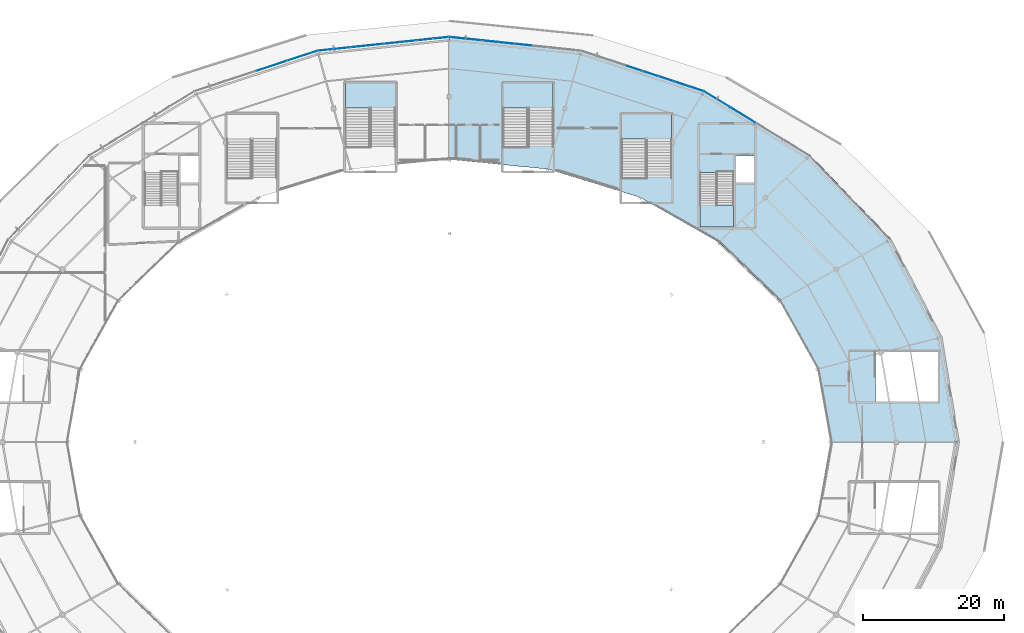
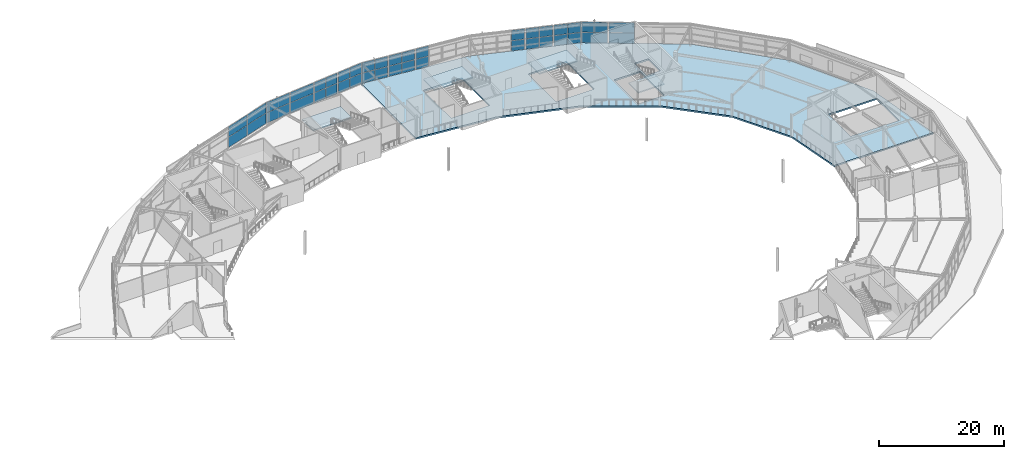
# One storey, part 98 of 126: 40 plates, 5 slabs, 18 elements without a shape of their own.
"""IFC4 building model written with IfcOpenShell, lengths in metres."""

import ifcopenshell
import ifcopenshell.guid

model = None  # the IFC model being written
_history = None  # IfcOwnerHistory: only IFC2X3 demands one
_inside = {}  # id of a spatial element -> (the spatial element, [elements in it])
_under = {}  # id of a project, library or spatial element -> (it, [spatial elements below it])
_declared = {}  # id of a project -> (the project, [libraries it declares])
_typed = {}  # id of a type object -> (the type object, [elements of that type])
_made_of = {}  # id of a material, layer set ... -> (it, [elements and type objects made of it])


def new_model(schema):
    """Start an empty IFC model of exactly this schema.

    Asked for "IFC4X3", IfcOpenShell would pick the latest addendum, in which some entities
    have other attributes; the version numbers below select the first issue.
    IFC2X3 requires an IfcOwnerHistory on every rooted entity: one is made here for all.
    """
    global model, _history
    if schema == "IFC4X3":
        model = ifcopenshell.file(schema_version=(4, 3, 0, 0))
    else:
        model = ifcopenshell.file(schema=schema)
    _inside.clear()
    _under.clear()
    _declared.clear()
    _typed.clear()
    _made_of.clear()
    _history = None
    if model.schema == "IFC2X3":
        org = make("IfcOrganization", Name="unknown")
        user = make(
            "IfcPersonAndOrganization",
            ThePerson=make("IfcPerson", FamilyName="unknown"),
            TheOrganization=org,
        )
        app = make(
            "IfcApplication",
            ApplicationDeveloper=org,
            Version="unknown",
            ApplicationFullName="unknown",
            ApplicationIdentifier="unknown",
        )
        _history = make(
            "IfcOwnerHistory",
            OwningUser=user,
            OwningApplication=app,
            ChangeAction="ADDED",
            CreationDate=0,
        )
    return model


def make(cls, **values):
    """One entity of the class cls with the attributes given. An attribute that is None is left unset."""
    return model.create_entity(
        cls, **{name: value for name, value in values.items() if value is not None}
    )


def rooted(cls, **values):
    """An entity with a GlobalId (a new one), such as an element, a storey or a relation."""
    return make(cls, GlobalId=ifcopenshell.guid.new(), OwnerHistory=_history, **values)


def si_unit(unit_type, name, prefix=None):
    """IfcSIUnit, for example si_unit("LENGTHUNIT", "METRE", prefix="MILLI")."""
    return make("IfcSIUnit", UnitType=unit_type, Prefix=prefix, Name=name)


def assignment(units):
    """IfcUnitAssignment: the units of a project."""
    return None if units is None else make("IfcUnitAssignment", Units=units)


def point(xyz):
    """IfcCartesianPoint."""
    return None if xyz is None else make("IfcCartesianPoint", Coordinates=xyz)


def direction(xyz):
    """IfcDirection."""
    return None if xyz is None else make("IfcDirection", DirectionRatios=xyz)


def frame(location, z_axis=None, x_axis=None):
    """IfcAxis2Placement3D, a coordinate frame: its origin and axes. An axis left out is left unset."""
    return make(
        "IfcAxis2Placement3D",
        Location=point(location),
        Axis=direction(z_axis),
        RefDirection=direction(x_axis),
    )


def frame_2d(location, x_axis=None):
    """IfcAxis2Placement2D, a coordinate frame in the plane: its origin and x axis."""
    return make(
        "IfcAxis2Placement2D", Location=point(location), RefDirection=direction(x_axis)
    )


def origin():
    """The frame at (0, 0, 0) with its axes left unset."""
    return frame((0.0, 0.0, 0.0))


def origin_2d():
    """The frame at (0, 0) in the plane with its x axis left unset."""
    return frame_2d((0.0, 0.0))


def place(relative_to, where):
    """IfcLocalPlacement: puts the frame where relative to a parent placement (None: the world)."""
    return make(
        "IfcLocalPlacement", PlacementRelTo=relative_to, RelativePlacement=where
    )


def context(
    kind, dimensions, precision=None, world=None, true_north=None, identifier=None
):
    """IfcGeometricRepresentationContext, for example the 3D "Model" context."""
    return make(
        "IfcGeometricRepresentationContext",
        ContextIdentifier=identifier,
        ContextType=kind,
        CoordinateSpaceDimension=dimensions,
        Precision=precision,
        WorldCoordinateSystem=world,
        TrueNorth=true_north,
    )


def subcontext(parent, identifier, kind, view, scale=None):
    """IfcGeometricRepresentationSubContext, for example "Body" below "Model"."""
    return make(
        "IfcGeometricRepresentationSubContext",
        ContextIdentifier=identifier,
        ContextType=kind,
        ParentContext=parent,
        TargetScale=scale,
        TargetView=view,
    )


def project(units=None, contexts=None):
    """IfcProject with its units and contexts."""
    return rooted(
        "IfcProject",
        Name="project",
        RepresentationContexts=contexts,
        UnitsInContext=assignment(units),
    )


def spatial(cls, under=None, at=None, **own):
    """A site, building, storey or space (cls), placed at a placement, below another one or the project."""
    s = rooted(cls, ObjectPlacement=at, **own)
    if under is not None:
        _under.setdefault(under.id(), (under, []))[1].append(s)
    return s


def polyline(points):
    """IfcPolyline through the points."""
    return make("IfcPolyline", Points=[point(p) for p in points])


def profile(cls, at=None, kind="AREA", **sizes):
    """A parametric profile (cls). Its sizes go by their IFC names, for example OverallWidth=200.0."""
    return make(cls, ProfileType=kind, Position=at, **sizes)


def rectangle(**sizes):
    """IfcRectangleProfileDef."""
    return profile("IfcRectangleProfileDef", **sizes)


def outline(outer, holes=None, kind="AREA"):
    """IfcArbitraryClosedProfileDef: a profile drawn as a closed curve; with holes, ...WithVoids."""
    if holes is None:
        return make("IfcArbitraryClosedProfileDef", ProfileType=kind, OuterCurve=outer)
    return make(
        "IfcArbitraryProfileDefWithVoids",
        ProfileType=kind,
        OuterCurve=outer,
        InnerCurves=holes,
    )


def extrude(swept, where, along, depth):
    """IfcExtrudedAreaSolid: the profile swept, set in the frame where, extruded along a direction by depth."""
    return make(
        "IfcExtrudedAreaSolid",
        SweptArea=swept,
        Position=where,
        ExtrudedDirection=direction(along),
        Depth=depth,
    )


def shape(context_of_items, identifier, shape_type, items):
    """IfcShapeRepresentation: the items that make up one representation, for example the "Body"."""
    return make(
        "IfcShapeRepresentation",
        ContextOfItems=context_of_items,
        RepresentationIdentifier=identifier,
        RepresentationType=shape_type,
        Items=items,
    )


def material(Name=None, Category=None):
    """IfcMaterial."""
    return make("IfcMaterial", Name=Name, Category=Category)


def layer(
    of_material, thickness, ventilated=None, Name=None, Category=None, Priority=None
):
    """IfcMaterialLayer: one layer of a wall or slab, of a material (None: an air gap)."""
    return make(
        "IfcMaterialLayer",
        Material=of_material,
        LayerThickness=thickness,
        IsVentilated=ventilated,
        Name=Name,
        Category=Category,
        Priority=Priority,
    )


def layer_set(layers, Name=None):
    """IfcMaterialLayerSet."""
    return make("IfcMaterialLayerSet", MaterialLayers=layers, LayerSetName=Name)


def made_of(thing, what):
    """Note that an element or type object is made of a material, layer set ...; save() writes the relation."""
    if what is not None:
        _made_of.setdefault(what.id(), (what, []))[1].append(thing)
    return thing


def type_object(cls, material=None, **own):
    """A type object (cls), such as IfcWallType, which elements share."""
    return made_of(rooted(cls, **own), material)


def element(
    cls,
    number,
    at=None,
    inside=None,
    cuts=None,
    type_object=None,
    material=None,
    context=None,
    identifier="Body",
    shape_type=None,
    held_by="IfcProductDefinitionShape",
    body=None,
    shapes=None,
    **own,
):
    """One element of the class cls, such as IfcWall. Its Tag is "e" and its number.

    at: its placement. inside: the storey or other place that contains it. cuts: it is an
    opening in that element (IfcRelVoidsElement). A single representation is given by context,
    identifier, shape_type and body (its items); several are given by shapes. held_by: the class
    of the entity that holds the representations. save() writes the other relations.
    """
    e = rooted(cls, Tag="e%d" % number, ObjectPlacement=at, **own)
    if body is not None:
        shapes = [shape(context, identifier, shape_type, body)]
    if shapes is not None:
        e.Representation = make(held_by, Representations=shapes)
    if inside is not None:
        _inside.setdefault(inside.id(), (inside, []))[1].append(e)
    if cuts is not None:
        rooted(
            "IfcRelVoidsElement", RelatingBuildingElement=cuts, RelatedOpeningElement=e
        )
    if type_object is not None:
        _typed.setdefault(type_object.id(), (type_object, []))[1].append(e)
    return made_of(e, material)


def aggregate(whole, parts):
    """IfcRelAggregates: a whole, such as a stair, and the parts it consists of."""
    return rooted("IfcRelAggregates", RelatingObject=whole, RelatedObjects=parts)


def save(model, path):
    """Write the relations noted so far, then the file.

    IfcRelAggregates (storeys below a building ...), IfcRelContainedInSpatialStructure (elements
    in a storey), IfcRelDefinesByType, IfcRelAssociatesMaterial and IfcRelDeclares: one each for
    every whole, place, type object, material and project.
    """
    for whole, parts in _under.values():
        aggregate(whole, parts)
    for where, things in _inside.values():
        rooted(
            "IfcRelContainedInSpatialStructure",
            RelatedElements=things,
            RelatingStructure=where,
        )
    for kind, things in _typed.values():
        rooted("IfcRelDefinesByType", RelatedObjects=things, RelatingType=kind)
    for what, things in _made_of.values():
        rooted("IfcRelAssociatesMaterial", RelatedObjects=things, RelatingMaterial=what)
    for by, libraries in _declared.values():
        rooted("IfcRelDeclares", RelatingContext=by, RelatedDefinitions=libraries)
    model.write(path)


model = new_model("IFC4")

# Units and contexts
model_context = context("Model", 3, precision=1e-05, world=origin(), true_north=direction((0.0, 1.0)))
body_context = subcontext(model_context, "Body", "Model", "MODEL_VIEW")
ifc_project = project(units=[si_unit("LENGTHUNIT", "METRE"), si_unit("AREAUNIT", "SQUARE_METRE"), si_unit("VOLUMEUNIT", "CUBIC_METRE"), si_unit("PLANEANGLEUNIT", "RADIAN"), si_unit("MASSUNIT", "GRAM", prefix="KILO")], contexts=[model_context])

# Site, building, storey
site_placement = place(None, origin())
site = spatial("IfcSite", under=ifc_project, at=site_placement, CompositionType="ELEMENT")
building_placement = place(site_placement, origin())
building = spatial("IfcBuilding", under=site, at=building_placement, Name="Kalgoora Escarpment Arena", CompositionType="ELEMENT")
storey_placement = place(building_placement, frame((0.0, 0.0, 18.89990234375)))
storey = spatial("IfcBuildingStorey", under=building, at=storey_placement, Name="L04", CompositionType="ELEMENT", Elevation=18.89990234375)

# Curtain wall, plates
ifc_material_1 = material(Name=" Champagne anodised aluminium & double-glazed low-E", Category="aluminium")
ifc_layer_1 = layer(ifc_material_1, 0.157958984375)
ifc_layer_set_1 = layer_set([ifc_layer_1], Name="CW-UNIT-17")
curtain_wall_type_1 = type_object("IfcCurtainWallType", Name="CW-UNIT-17", PredefinedType="NOTDEFINED", material=ifc_layer_set_1)
curtain_wall_1_placement = place(storey_placement, origin())
curtain_wall_1 = element("IfcCurtainWall", 1, at=curtain_wall_1_placement, inside=storey, type_object=curtain_wall_type_1, Name="L04 unitised facade curtain wall 156", PredefinedType="NOTDEFINED")
ifc_material_2 = material(Name="Low-E double-glazed insulated glass", Category="glass")
ifc_layer_2 = layer(ifc_material_2, 0.028076171875)
ifc_layer_set_2 = layer_set([ifc_layer_2], Name="PLT-CW-GLAZ-28")
plate_type_1 = type_object("IfcPlateType", Name="PLT-CW-GLAZ-28", PredefinedType="CURTAIN_PANEL", material=ifc_layer_set_2)
plate_1_placement = place(storey_placement, frame((67.15087890625, 117.365478515625, 0.0751953125), z_axis=(0.0, 0.0, 1.0), x_axis=(0.949763052265, 0.312969878028, 0.0)))
plate_1 = element("IfcPlate", 2, at=plate_1_placement, type_object=plate_type_1, Name="CW-17 panel 1.1", PredefinedType="CURTAIN_PANEL", context=body_context, shape_type="SweptSolid", body=[
    extrude(rectangle(XDim=4.376220703125, YDim=0.028076171875, at=origin_2d()), origin(), (0.0, 0.0, 1.0), 2.007568359375),
])
plate_2_placement = place(storey_placement, frame((67.15087890625, 117.365478515625, 2.1376953125), z_axis=(0.0, 0.0, 1.0), x_axis=(0.949763052265, 0.312969878028, 0.0)))
plate_2 = element("IfcPlate", 3, at=plate_2_placement, type_object=plate_type_1, Name="CW-17 panel 1.2", PredefinedType="CURTAIN_PANEL", context=body_context, shape_type="SweptSolid", body=[
    extrude(rectangle(XDim=4.376220703125, YDim=0.028076171875, at=origin_2d()), origin(), (0.0, 0.0, 1.0), 1.987548828125),
])
aggregate(curtain_wall_1, [plate_1, plate_2])

ifc_material_3 = material(Name=" Champagne anodised aluminium & double-glazed low-E", Category="aluminium")
ifc_layer_3 = layer(ifc_material_3, 0.166015625)
ifc_layer_set_3 = layer_set([ifc_layer_3], Name="CW-UNIT-19")
curtain_wall_type_2 = type_object("IfcCurtainWallType", Name="CW-UNIT-19", PredefinedType="NOTDEFINED", material=ifc_layer_set_3)
curtain_wall_2_placement = place(storey_placement, origin())
curtain_wall_2 = element("IfcCurtainWall", 4, at=curtain_wall_2_placement, inside=storey, type_object=curtain_wall_type_2, Name="L04 unitised facade curtain wall 158", PredefinedType="NOTDEFINED")
plate_3_placement = place(storey_placement, frame((75.991455078125, 119.7607421875, 0.0751953125), z_axis=(0.0, 0.0, 1.0), x_axis=(0.994560810247, 0.10415754759, 0.0)))
plate_3 = element("IfcPlate", 5, at=plate_3_placement, type_object=plate_type_1, Name="CW-19 panel 1.1", PredefinedType="CURTAIN_PANEL", context=body_context, shape_type="SweptSolid", body=[
    extrude(rectangle(XDim=4.540283203125, YDim=0.028076171875, at=origin_2d()), origin(), (0.0, 0.0, 1.0), 2.007568359375),
])
plate_4_placement = place(storey_placement, frame((75.991455078125, 119.7607421875, 2.1376953125), z_axis=(0.0, 0.0, 1.0), x_axis=(0.994560810247, 0.10415754759, 0.0)))
plate_4 = element("IfcPlate", 6, at=plate_4_placement, type_object=plate_type_1, Name="CW-19 panel 1.2", PredefinedType="CURTAIN_PANEL", context=body_context, shape_type="SweptSolid", body=[
    extrude(rectangle(XDim=4.540283203125, YDim=0.028076171875, at=origin_2d()), origin(), (0.0, 0.0, 1.0), 1.987548828125),
])
aggregate(curtain_wall_2, [plate_3, plate_4])

ifc_material_4 = material(Name=" Champagne anodised aluminium & double-glazed low-E", Category="aluminium")
ifc_layer_4 = layer(ifc_material_4, 0.154052734375)
ifc_layer_set_4 = layer_set([ifc_layer_4], Name="CW-UNIT-01")
curtain_wall_type_3 = type_object("IfcCurtainWallType", Name="CW-UNIT-01", PredefinedType="NOTDEFINED", material=ifc_layer_set_4)
curtain_wall_3_placement = place(storey_placement, origin())
curtain_wall_3 = element("IfcCurtainWall", 7, at=curtain_wall_3_placement, inside=storey, type_object=curtain_wall_type_3, Name="L04 unitised facade curtain wall 160", PredefinedType="NOTDEFINED")
plate_5_placement = place(storey_placement, frame((84.25537109375, 120.626220703125, 0.080078125), z_axis=(0.0, 0.0, 1.0), x_axis=(0.994558216596, 0.104182310405, 0.0)))
plate_5 = element("IfcPlate", 8, at=plate_5_placement, type_object=plate_type_1, Name="CW-01 panel 1.1", PredefinedType="CURTAIN_PANEL", context=body_context, shape_type="SweptSolid", body=[
    extrude(rectangle(XDim=2.20751953125, YDim=0.028076171875, at=origin_2d()), origin(), (0.0, 0.0, 1.0), 2.0),
])
plate_6_placement = place(storey_placement, frame((84.25537109375, 120.626220703125, 2.14013671875), z_axis=(0.0, 0.0, 1.0), x_axis=(0.994558216596, 0.104182310405, 0.0)))
plate_6 = element("IfcPlate", 9, at=plate_6_placement, type_object=plate_type_1, Name="CW-01 panel 1.2", PredefinedType="CURTAIN_PANEL", context=body_context, shape_type="SweptSolid", body=[
    extrude(rectangle(XDim=2.20751953125, YDim=0.028076171875, at=origin_2d()), origin(), (0.0, 0.0, 1.0), 1.97998046875),
])
plate_7_placement = place(storey_placement, frame((86.515625, 120.863037109375, 0.080078125), z_axis=(0.0, 0.0, 1.0), x_axis=(0.994558216596, 0.104182310405, 0.0)))
plate_7 = element("IfcPlate", 10, at=plate_7_placement, type_object=plate_type_1, Name="CW-01 panel 2.1", PredefinedType="CURTAIN_PANEL", context=body_context, shape_type="SweptSolid", body=[
    extrude(rectangle(XDim=2.20751953125, YDim=0.028076171875, at=origin_2d()), origin(), (0.0, 0.0, 1.0), 2.0),
])
plate_8_placement = place(storey_placement, frame((86.515625, 120.863037109375, 2.14013671875), z_axis=(0.0, 0.0, 1.0), x_axis=(0.994558216596, 0.104182310405, 0.0)))
plate_8 = element("IfcPlate", 11, at=plate_8_placement, type_object=plate_type_1, Name="CW-01 panel 2.2", PredefinedType="CURTAIN_PANEL", context=body_context, shape_type="SweptSolid", body=[
    extrude(rectangle(XDim=2.20751953125, YDim=0.028076171875, at=origin_2d()), origin(), (0.0, 0.0, 1.0), 1.97998046875),
])
aggregate(curtain_wall_3, [plate_5, plate_6, plate_7, plate_8])

ifc_material_5 = material(Name=" Champagne anodised aluminium & double-glazed low-E", Category="aluminium")
ifc_layer_5 = layer(ifc_material_5, 0.162109375)
ifc_layer_set_5 = layer_set([ifc_layer_5], Name="CW-UNIT-03")
curtain_wall_type_4 = type_object("IfcCurtainWallType", Name="CW-UNIT-03", PredefinedType="NOTDEFINED", material=ifc_layer_set_5)
curtain_wall_4_placement = place(storey_placement, origin())
curtain_wall_4 = element("IfcCurtainWall", 12, at=curtain_wall_4_placement, inside=storey, type_object=curtain_wall_type_4, Name="L04 unitised facade curtain wall 162", PredefinedType="NOTDEFINED")
plate_9_placement = place(storey_placement, frame((93.5625, 121.357666015625, 0.080078125), z_axis=(0.0, 0.0, 1.0), x_axis=(0.994558587162, -0.104178772797, 0.0)))
plate_9 = element("IfcPlate", 13, at=plate_9_placement, type_object=plate_type_1, Name="CW-03 panel 1.1", PredefinedType="CURTAIN_PANEL", context=body_context, shape_type="SweptSolid", body=[
    extrude(rectangle(XDim=2.232666015625, YDim=0.028076171875, at=origin_2d()), origin(), (0.0, 0.0, 1.0), 1.9951171875),
])
plate_10_placement = place(storey_placement, frame((93.5625, 121.357666015625, 2.135009765625), z_axis=(0.0, 0.0, 1.0), x_axis=(0.994558587162, -0.104178772797, 0.0)))
plate_10 = element("IfcPlate", 14, at=plate_10_placement, type_object=plate_type_1, Name="CW-03 panel 1.2", PredefinedType="CURTAIN_PANEL", context=body_context, shape_type="SweptSolid", body=[
    extrude(rectangle(XDim=2.232666015625, YDim=0.028076171875, at=origin_2d()), origin(), (0.0, 0.0, 1.0), 1.97509765625),
])
plate_11_placement = place(storey_placement, frame((95.847412109375, 121.1181640625, 0.080078125), z_axis=(0.0, 0.0, 1.0), x_axis=(0.994558587162, -0.104178772797, 0.0)))
plate_11 = element("IfcPlate", 15, at=plate_11_placement, type_object=plate_type_1, Name="CW-03 panel 2.1", PredefinedType="CURTAIN_PANEL", context=body_context, shape_type="SweptSolid", body=[
    extrude(rectangle(XDim=2.232666015625, YDim=0.028076171875, at=origin_2d()), origin(), (0.0, 0.0, 1.0), 1.9951171875),
])
plate_12_placement = place(storey_placement, frame((95.847412109375, 121.1181640625, 2.135009765625), z_axis=(0.0, 0.0, 1.0), x_axis=(0.994558587162, -0.104178772797, 0.0)))
plate_12 = element("IfcPlate", 16, at=plate_12_placement, type_object=plate_type_1, Name="CW-03 panel 2.2", PredefinedType="CURTAIN_PANEL", context=body_context, shape_type="SweptSolid", body=[
    extrude(rectangle(XDim=2.232666015625, YDim=0.028076171875, at=origin_2d()), origin(), (0.0, 0.0, 1.0), 1.97509765625),
])
aggregate(curtain_wall_4, [plate_9, plate_10, plate_11, plate_12])

ifc_material_6 = material(Name=" Champagne anodised aluminium & double-glazed low-E", Category="aluminium")
ifc_layer_6 = layer(ifc_material_6, 0.14990234375)
ifc_layer_set_6 = layer_set([ifc_layer_6], Name="CW-UNIT-05")
curtain_wall_type_5 = type_object("IfcCurtainWallType", Name="CW-UNIT-05", PredefinedType="NOTDEFINED", material=ifc_layer_set_6)
curtain_wall_5_placement = place(storey_placement, origin())
curtain_wall_5 = element("IfcCurtainWall", 17, at=curtain_wall_5_placement, inside=storey, type_object=curtain_wall_type_5, Name="L04 unitised facade curtain wall 164", PredefinedType="NOTDEFINED")
plate_13_placement = place(storey_placement, frame((102.968994140625, 120.372314453125, 0.080078125), z_axis=(0.0, 0.0, 1.0), x_axis=(0.994558216596, -0.104182310405, 0.0)))
plate_13 = element("IfcPlate", 18, at=plate_13_placement, type_object=plate_type_1, Name="CW-05 panel 1.1", PredefinedType="CURTAIN_PANEL", context=body_context, shape_type="SweptSolid", body=[
    extrude(rectangle(XDim=2.20751953125, YDim=0.028076171875, at=origin_2d()), origin(), (0.0, 0.0, 1.0), 1.9951171875),
])
plate_14_placement = place(storey_placement, frame((102.968994140625, 120.372314453125, 2.135009765625), z_axis=(0.0, 0.0, 1.0), x_axis=(0.994558216596, -0.104182310405, 0.0)))
plate_14 = element("IfcPlate", 19, at=plate_14_placement, type_object=plate_type_1, Name="CW-05 panel 1.2", PredefinedType="CURTAIN_PANEL", context=body_context, shape_type="SweptSolid", body=[
    extrude(rectangle(XDim=2.20751953125, YDim=0.028076171875, at=origin_2d()), origin(), (0.0, 0.0, 1.0), 1.97509765625),
])
aggregate(curtain_wall_5, [plate_13, plate_14])

ifc_material_7 = material(Name=" Champagne anodised aluminium & double-glazed low-E", Category="aluminium")
ifc_layer_7 = layer(ifc_material_7, 0.166015625)
ifc_layer_set_7 = layer_set([ifc_layer_7], Name="CW-UNIT-09")
curtain_wall_type_6 = type_object("IfcCurtainWallType", Name="CW-UNIT-09", PredefinedType="NOTDEFINED", material=ifc_layer_set_7)
curtain_wall_6_placement = place(storey_placement, origin())
curtain_wall_6 = element("IfcCurtainWall", 20, at=curtain_wall_6_placement, inside=storey, type_object=curtain_wall_type_6, Name="L04 unitised facade curtain wall 168", PredefinedType="NOTDEFINED")
plate_15_placement = place(storey_placement, frame((120.962158203125, 116.273681640625, 0.080078125), z_axis=(0.0, 0.0, 1.0), x_axis=(0.94975644114, -0.312989939956, 0.0)))
plate_15 = element("IfcPlate", 21, at=plate_15_placement, type_object=plate_type_1, Name="CW-09 panel 1.1", PredefinedType="CURTAIN_PANEL", context=body_context, shape_type="SweptSolid", body=[
    extrude(rectangle(XDim=2.150634765625, YDim=0.028076171875, at=origin_2d()), origin(), (0.0, 0.0, 1.0), 1.9951171875),
])
plate_16_placement = place(storey_placement, frame((120.962158203125, 116.273681640625, 2.135009765625), z_axis=(0.0, 0.0, 1.0), x_axis=(0.94975644114, -0.312989939956, 0.0)))
plate_16 = element("IfcPlate", 22, at=plate_16_placement, type_object=plate_type_1, Name="CW-09 panel 1.2", PredefinedType="CURTAIN_PANEL", context=body_context, shape_type="SweptSolid", body=[
    extrude(rectangle(XDim=2.150634765625, YDim=0.028076171875, at=origin_2d()), origin(), (0.0, 0.0, 1.0), 1.97509765625),
])
plate_17_placement = place(storey_placement, frame((123.066650390625, 115.580322265625, 0.080078125), z_axis=(0.0, 0.0, 1.0), x_axis=(0.94975644114, -0.312989939956, 0.0)))
plate_17 = element("IfcPlate", 23, at=plate_17_placement, type_object=plate_type_1, Name="CW-09 panel 2.1", PredefinedType="CURTAIN_PANEL", context=body_context, shape_type="SweptSolid", body=[
    extrude(rectangle(XDim=2.150634765625, YDim=0.028076171875, at=origin_2d()), origin(), (0.0, 0.0, 1.0), 1.9951171875),
])
plate_18_placement = place(storey_placement, frame((123.066650390625, 115.580322265625, 2.135009765625), z_axis=(0.0, 0.0, 1.0), x_axis=(0.94975644114, -0.312989939956, 0.0)))
plate_18 = element("IfcPlate", 24, at=plate_18_placement, type_object=plate_type_1, Name="CW-09 panel 2.2", PredefinedType="CURTAIN_PANEL", context=body_context, shape_type="SweptSolid", body=[
    extrude(rectangle(XDim=2.150634765625, YDim=0.028076171875, at=origin_2d()), origin(), (0.0, 0.0, 1.0), 1.97509765625),
])
aggregate(curtain_wall_6, [plate_15, plate_16, plate_17, plate_18])

ifc_material_8 = material(Name=" Champagne anodised aluminium & double-glazed low-E", Category="aluminium")
ifc_layer_8 = layer(ifc_material_8, 0.154052734375)
ifc_layer_set_8 = layer_set([ifc_layer_8], Name="CW-UNIT-11")
curtain_wall_type_7 = type_object("IfcCurtainWallType", Name="CW-UNIT-11", PredefinedType="NOTDEFINED", material=ifc_layer_set_8)
curtain_wall_7_placement = place(storey_placement, origin())
curtain_wall_7 = element("IfcCurtainWall", 25, at=curtain_wall_7_placement, inside=storey, type_object=curtain_wall_type_7, Name="L04 unitised facade curtain wall 170", PredefinedType="NOTDEFINED")
plate_19_placement = place(storey_placement, frame((130.35205078125, 112.6728515625, 0.0751953125), z_axis=(0.0, 0.0, 1.0), x_axis=(0.853520684485, -0.521058961304, 0.0)))
plate_19 = element("IfcPlate", 26, at=plate_19_placement, type_object=plate_type_1, Name="CW-11 panel 1.1", PredefinedType="CURTAIN_PANEL", context=body_context, shape_type="SweptSolid", body=[
    extrude(rectangle(XDim=4.1318359375, YDim=0.028076171875, at=origin_2d()), origin(), (0.0, 0.0, 1.0), 2.00244140625),
])
plate_20_placement = place(storey_placement, frame((130.35205078125, 112.6728515625, 2.132568359375), z_axis=(0.0, 0.0, 1.0), x_axis=(0.853520684485, -0.521058961304, 0.0)))
plate_20 = element("IfcPlate", 27, at=plate_20_placement, type_object=plate_type_1, Name="CW-11 panel 1.2", PredefinedType="CURTAIN_PANEL", context=body_context, shape_type="SweptSolid", body=[
    extrude(rectangle(XDim=4.1318359375, YDim=0.028076171875, at=origin_2d()), origin(), (0.0, 0.0, 1.0), 1.982421875),
])
aggregate(curtain_wall_7, [plate_19, plate_20])

ifc_material_9 = material(Name=" Champagne anodised aluminium & double-glazed low-E", Category="aluminium")
ifc_layer_9 = layer(ifc_material_9, 0.162109375)
ifc_layer_set_9 = layer_set([ifc_layer_9], Name="CW-UNIT-18")
curtain_wall_type_8 = type_object("IfcCurtainWallType", Name="CW-UNIT-18", PredefinedType="NOTDEFINED", material=ifc_layer_set_9)
curtain_wall_8_placement = place(storey_placement, origin())
curtain_wall_8 = element("IfcCurtainWall", 28, at=curtain_wall_8_placement, inside=storey, type_object=curtain_wall_type_8, Name="L04 unitised facade curtain wall 157", PredefinedType="NOTDEFINED")
ifc_material_10 = material(Name="Acoustic laminated solar-control glass", Category="glass")
ifc_layer_10 = layer(ifc_material_10, 0.033935546875)
ifc_layer_set_10 = layer_set([ifc_layer_10], Name="PLT-CW-GLAZ-34")
plate_type_2 = type_object("IfcPlateType", Name="PLT-CW-GLAZ-34", PredefinedType="CURTAIN_PANEL", material=ifc_layer_set_10)
plate_21_placement = place(storey_placement, frame((71.5400390625, 118.811767578125, 0.0751953125), z_axis=(0.0, 0.0, 1.0), x_axis=(0.949759939888, 0.312979322933, 0.0)))
plate_21 = element("IfcPlate", 29, at=plate_21_placement, type_object=plate_type_2, Name="CW-18 panel 1.1", PredefinedType="CURTAIN_PANEL", context=body_context, shape_type="SweptSolid", body=[
    extrude(rectangle(XDim=4.42626953125, YDim=0.033935546875, at=origin_2d()), origin(), (0.0, 0.0, 1.0), 2.007568359375),
])
plate_22_placement = place(storey_placement, frame((71.5400390625, 118.811767578125, 2.1376953125), z_axis=(0.0, 0.0, 1.0), x_axis=(0.949759939888, 0.312979322933, 0.0)))
plate_22 = element("IfcPlate", 30, at=plate_22_placement, type_object=plate_type_2, Name="CW-18 panel 1.2", PredefinedType="CURTAIN_PANEL", context=body_context, shape_type="SweptSolid", body=[
    extrude(rectangle(XDim=4.42626953125, YDim=0.033935546875, at=origin_2d()), origin(), (0.0, 0.0, 1.0), 1.987548828125),
])
aggregate(curtain_wall_8, [plate_21, plate_22])

ifc_material_11 = material(Name=" Champagne anodised aluminium & double-glazed low-E", Category="aluminium")
ifc_layer_11 = layer(ifc_material_11, 0.14990234375)
ifc_layer_set_11 = layer_set([ifc_layer_11], Name="CW-UNIT-20")
curtain_wall_type_9 = type_object("IfcCurtainWallType", Name="CW-UNIT-20", PredefinedType="NOTDEFINED", material=ifc_layer_set_11)
curtain_wall_9_placement = place(storey_placement, origin())
curtain_wall_9 = element("IfcCurtainWall", 31, at=curtain_wall_9_placement, inside=storey, type_object=curtain_wall_type_9, Name="L04 unitised facade curtain wall 159", PredefinedType="NOTDEFINED")
plate_23_placement = place(storey_placement, frame((80.700927734375, 120.25390625, 0.0751953125), z_axis=(0.0, 0.0, 1.0), x_axis=(0.994558216596, 0.104182310405, 0.0)))
plate_23 = element("IfcPlate", 32, at=plate_23_placement, type_object=plate_type_2, Name="CW-20 panel 1.1", PredefinedType="CURTAIN_PANEL", context=body_context, shape_type="SweptSolid", body=[
    extrude(rectangle(XDim=4.490234375, YDim=0.033935546875, at=origin_2d()), origin(), (0.0, 0.0, 1.0), 2.007568359375),
])
plate_24_placement = place(storey_placement, frame((80.700927734375, 120.25390625, 2.1376953125), z_axis=(0.0, 0.0, 1.0), x_axis=(0.994558216596, 0.104182310405, 0.0)))
plate_24 = element("IfcPlate", 33, at=plate_24_placement, type_object=plate_type_2, Name="CW-20 panel 1.2", PredefinedType="CURTAIN_PANEL", context=body_context, shape_type="SweptSolid", body=[
    extrude(rectangle(XDim=4.490234375, YDim=0.033935546875, at=origin_2d()), origin(), (0.0, 0.0, 1.0), 1.987548828125),
])
aggregate(curtain_wall_9, [plate_23, plate_24])

ifc_material_12 = material(Name=" Champagne anodised aluminium & double-glazed low-E", Category="aluminium")
ifc_layer_12 = layer(ifc_material_12, 0.157958984375)
ifc_layer_set_12 = layer_set([ifc_layer_12], Name="CW-UNIT-02")
curtain_wall_type_10 = type_object("IfcCurtainWallType", Name="CW-UNIT-02", PredefinedType="NOTDEFINED", material=ifc_layer_set_12)
curtain_wall_10_placement = place(storey_placement, origin())
curtain_wall_10 = element("IfcCurtainWall", 34, at=curtain_wall_10_placement, inside=storey, type_object=curtain_wall_type_10, Name="L04 unitised facade curtain wall 161", PredefinedType="NOTDEFINED")
plate_25_placement = place(storey_placement, frame((88.952392578125, 121.1181640625, 0.080078125), z_axis=(0.0, 0.0, 1.0), x_axis=(0.994558587162, 0.104178772797, 0.0)))
plate_25 = element("IfcPlate", 35, at=plate_25_placement, type_object=plate_type_2, Name="CW-02 panel 1.1", PredefinedType="CURTAIN_PANEL", context=body_context, shape_type="SweptSolid", body=[
    extrude(rectangle(XDim=2.232666015625, YDim=0.033935546875, at=origin_2d()), origin(), (0.0, 0.0, 1.0), 2.0),
])
plate_26_placement = place(storey_placement, frame((88.952392578125, 121.1181640625, 2.14013671875), z_axis=(0.0, 0.0, 1.0), x_axis=(0.994558587162, 0.104178772797, 0.0)))
plate_26 = element("IfcPlate", 36, at=plate_26_placement, type_object=plate_type_2, Name="CW-02 panel 1.2", PredefinedType="CURTAIN_PANEL", context=body_context, shape_type="SweptSolid", body=[
    extrude(rectangle(XDim=2.232666015625, YDim=0.033935546875, at=origin_2d()), origin(), (0.0, 0.0, 1.0), 1.97998046875),
])
plate_27_placement = place(storey_placement, frame((91.237548828125, 121.357666015625, 0.080078125), z_axis=(0.0, 0.0, 1.0), x_axis=(0.994558587162, 0.104178772797, 0.0)))
plate_27 = element("IfcPlate", 37, at=plate_27_placement, type_object=plate_type_2, Name="CW-02 panel 2.1", PredefinedType="CURTAIN_PANEL", context=body_context, shape_type="SweptSolid", body=[
    extrude(rectangle(XDim=2.232666015625, YDim=0.033935546875, at=origin_2d()), origin(), (0.0, 0.0, 1.0), 2.0),
])
plate_28_placement = place(storey_placement, frame((91.237548828125, 121.357666015625, 2.14013671875), z_axis=(0.0, 0.0, 1.0), x_axis=(0.994558587162, 0.104178772797, 0.0)))
plate_28 = element("IfcPlate", 38, at=plate_28_placement, type_object=plate_type_2, Name="CW-02 panel 2.2", PredefinedType="CURTAIN_PANEL", context=body_context, shape_type="SweptSolid", body=[
    extrude(rectangle(XDim=2.232666015625, YDim=0.033935546875, at=origin_2d()), origin(), (0.0, 0.0, 1.0), 1.97998046875),
])
aggregate(curtain_wall_10, [plate_25, plate_26, plate_27, plate_28])

ifc_material_13 = material(Name=" Champagne anodised aluminium & double-glazed low-E", Category="aluminium")
ifc_layer_13 = layer(ifc_material_13, 0.166015625)
ifc_layer_set_13 = layer_set([ifc_layer_13], Name="CW-UNIT-04")
curtain_wall_type_11 = type_object("IfcCurtainWallType", Name="CW-UNIT-04", PredefinedType="NOTDEFINED", material=ifc_layer_set_13)
curtain_wall_11_placement = place(storey_placement, origin())
curtain_wall_11 = element("IfcCurtainWall", 39, at=curtain_wall_11_placement, inside=storey, type_object=curtain_wall_type_11, Name="L04 unitised facade curtain wall 163", PredefinedType="NOTDEFINED")
plate_29_placement = place(storey_placement, frame((98.284423828125, 120.863037109375, 0.080078125), z_axis=(0.0, 0.0, 1.0), x_axis=(0.994558216596, -0.104182310405, 0.0)))
plate_29 = element("IfcPlate", 40, at=plate_29_placement, type_object=plate_type_2, Name="CW-04 panel 1.1", PredefinedType="CURTAIN_PANEL", context=body_context, shape_type="SweptSolid", body=[
    extrude(rectangle(XDim=2.20751953125, YDim=0.033935546875, at=origin_2d()), origin(), (0.0, 0.0, 1.0), 1.9951171875),
])
plate_30_placement = place(storey_placement, frame((98.284423828125, 120.863037109375, 2.135009765625), z_axis=(0.0, 0.0, 1.0), x_axis=(0.994558216596, -0.104182310405, 0.0)))
plate_30 = element("IfcPlate", 41, at=plate_30_placement, type_object=plate_type_2, Name="CW-04 panel 1.2", PredefinedType="CURTAIN_PANEL", context=body_context, shape_type="SweptSolid", body=[
    extrude(rectangle(XDim=2.20751953125, YDim=0.033935546875, at=origin_2d()), origin(), (0.0, 0.0, 1.0), 1.97509765625),
])
plate_31_placement = place(storey_placement, frame((100.544677734375, 120.626220703125, 0.080078125), z_axis=(0.0, 0.0, 1.0), x_axis=(0.994558216596, -0.104182310405, 0.0)))
plate_31 = element("IfcPlate", 42, at=plate_31_placement, type_object=plate_type_2, Name="CW-04 panel 2.1", PredefinedType="CURTAIN_PANEL", context=body_context, shape_type="SweptSolid", body=[
    extrude(rectangle(XDim=2.20751953125, YDim=0.033935546875, at=origin_2d()), origin(), (0.0, 0.0, 1.0), 1.9951171875),
])
plate_32_placement = place(storey_placement, frame((100.544677734375, 120.626220703125, 2.135009765625), z_axis=(0.0, 0.0, 1.0), x_axis=(0.994558216596, -0.104182310405, 0.0)))
plate_32 = element("IfcPlate", 43, at=plate_32_placement, type_object=plate_type_2, Name="CW-04 panel 2.2", PredefinedType="CURTAIN_PANEL", context=body_context, shape_type="SweptSolid", body=[
    extrude(rectangle(XDim=2.20751953125, YDim=0.033935546875, at=origin_2d()), origin(), (0.0, 0.0, 1.0), 1.97509765625),
])
aggregate(curtain_wall_11, [plate_29, plate_30, plate_31, plate_32])

ifc_material_14 = material(Name=" Champagne anodised aluminium & double-glazed low-E", Category="aluminium")
ifc_layer_14 = layer(ifc_material_14, 0.162109375)
ifc_layer_set_14 = layer_set([ifc_layer_14], Name="CW-UNIT-08")
curtain_wall_type_12 = type_object("IfcCurtainWallType", Name="CW-UNIT-08", PredefinedType="NOTDEFINED", material=ifc_layer_set_14)
curtain_wall_12_placement = place(storey_placement, origin())
curtain_wall_12 = element("IfcCurtainWall", 44, at=curtain_wall_12_placement, inside=storey, type_object=curtain_wall_type_12, Name="L04 unitised facade curtain wall 167", PredefinedType="NOTDEFINED")
plate_33_placement = place(storey_placement, frame((118.701171875, 117.018798828125, 0.080078125), z_axis=(0.0, 0.0, 1.0), x_axis=(0.949763052265, -0.312969878028, 0.0)))
plate_33 = element("IfcPlate", 45, at=plate_33_placement, type_object=plate_type_2, Name="CW-08 panel 2.1", PredefinedType="CURTAIN_PANEL", context=body_context, shape_type="SweptSolid", body=[
    extrude(rectangle(XDim=2.150634765625, YDim=0.033935546875, at=origin_2d()), origin(), (0.0, 0.0, 1.0), 1.9951171875),
])
plate_34_placement = place(storey_placement, frame((118.701171875, 117.018798828125, 2.135009765625), z_axis=(0.0, 0.0, 1.0), x_axis=(0.949763052265, -0.312969878028, 0.0)))
plate_34 = element("IfcPlate", 46, at=plate_34_placement, type_object=plate_type_2, Name="CW-08 panel 2.2", PredefinedType="CURTAIN_PANEL", context=body_context, shape_type="SweptSolid", body=[
    extrude(rectangle(XDim=2.150634765625, YDim=0.033935546875, at=origin_2d()), origin(), (0.0, 0.0, 1.0), 1.97509765625),
])
aggregate(curtain_wall_12, [plate_33, plate_34])

ifc_material_15 = material(Name=" Champagne anodised aluminium & double-glazed low-E", Category="aluminium")
ifc_layer_15 = layer(ifc_material_15, 0.14990234375)
ifc_layer_set_15 = layer_set([ifc_layer_15], Name="CW-UNIT-10")
curtain_wall_type_13 = type_object("IfcCurtainWallType", Name="CW-UNIT-10", PredefinedType="NOTDEFINED", material=ifc_layer_set_15)
curtain_wall_13_placement = place(storey_placement, origin())
curtain_wall_13 = element("IfcCurtainWall", 47, at=curtain_wall_13_placement, inside=storey, type_object=curtain_wall_type_13, Name="L04 unitised facade curtain wall 169", PredefinedType="NOTDEFINED")
plate_35_placement = place(storey_placement, frame((125.339599609375, 114.831298828125, 0.080078125), z_axis=(0.0, 0.0, 1.0), x_axis=(0.949757785191, -0.312985861452, 0.0)))
plate_35 = element("IfcPlate", 48, at=plate_35_placement, type_object=plate_type_2, Name="CW-10 panel 1.1", PredefinedType="CURTAIN_PANEL", context=body_context, shape_type="SweptSolid", body=[
    extrude(rectangle(XDim=2.175537109375, YDim=0.033935546875, at=origin_2d()), origin(), (0.0, 0.0, 1.0), 1.9951171875),
])
plate_36_placement = place(storey_placement, frame((125.339599609375, 114.831298828125, 2.135009765625), z_axis=(0.0, 0.0, 1.0), x_axis=(0.949757785191, -0.312985861452, 0.0)))
plate_36 = element("IfcPlate", 49, at=plate_36_placement, type_object=plate_type_2, Name="CW-10 panel 1.2", PredefinedType="CURTAIN_PANEL", context=body_context, shape_type="SweptSolid", body=[
    extrude(rectangle(XDim=2.175537109375, YDim=0.033935546875, at=origin_2d()), origin(), (0.0, 0.0, 1.0), 1.97509765625),
])
plate_37_placement = place(storey_placement, frame((127.467529296875, 114.1298828125, 0.080078125), z_axis=(0.0, 0.0, 1.0), x_axis=(0.949757785191, -0.312985861452, 0.0)))
plate_37 = element("IfcPlate", 50, at=plate_37_placement, type_object=plate_type_2, Name="CW-10 panel 2.1", PredefinedType="CURTAIN_PANEL", context=body_context, shape_type="SweptSolid", body=[
    extrude(rectangle(XDim=2.175537109375, YDim=0.033935546875, at=origin_2d()), origin(), (0.0, 0.0, 1.0), 1.9951171875),
])
plate_38_placement = place(storey_placement, frame((127.467529296875, 114.1298828125, 2.135009765625), z_axis=(0.0, 0.0, 1.0), x_axis=(0.949757785191, -0.312985861452, 0.0)))
plate_38 = element("IfcPlate", 51, at=plate_38_placement, type_object=plate_type_2, Name="CW-10 panel 2.2", PredefinedType="CURTAIN_PANEL", context=body_context, shape_type="SweptSolid", body=[
    extrude(rectangle(XDim=2.175537109375, YDim=0.033935546875, at=origin_2d()), origin(), (0.0, 0.0, 1.0), 1.97509765625),
])
aggregate(curtain_wall_13, [plate_35, plate_36, plate_37, plate_38])

ifc_material_16 = material(Name=" Champagne anodised aluminium & double-glazed low-E", Category="aluminium")
ifc_layer_16 = layer(ifc_material_16, 0.157958984375)
ifc_layer_set_16 = layer_set([ifc_layer_16], Name="CW-UNIT-12")
curtain_wall_type_14 = type_object("IfcCurtainWallType", Name="CW-UNIT-12", PredefinedType="NOTDEFINED", material=ifc_layer_set_16)
curtain_wall_14_placement = place(storey_placement, origin())
curtain_wall_14 = element("IfcCurtainWall", 52, at=curtain_wall_14_placement, inside=storey, type_object=curtain_wall_type_14, Name="L04 unitised facade curtain wall 171", PredefinedType="NOTDEFINED")
plate_39_placement = place(storey_placement, frame((134.066650390625, 110.4052734375, 0.0751953125), z_axis=(0.0, 0.0, 1.0), x_axis=(0.853527069701, -0.521048501858, 0.0)))
plate_39 = element("IfcPlate", 53, at=plate_39_placement, type_object=plate_type_2, Name="CW-12 panel 1.1", PredefinedType="CURTAIN_PANEL", context=body_context, shape_type="SweptSolid", body=[
    extrude(rectangle(XDim=4.132080078125, YDim=0.033935546875, at=origin_2d()), origin(), (0.0, 0.0, 1.0), 2.00244140625),
])
plate_40_placement = place(storey_placement, frame((134.066650390625, 110.4052734375, 2.132568359375), z_axis=(0.0, 0.0, 1.0), x_axis=(0.853527069701, -0.521048501858, 0.0)))
plate_40 = element("IfcPlate", 54, at=plate_40_placement, type_object=plate_type_2, Name="CW-12 panel 1.2", PredefinedType="CURTAIN_PANEL", context=body_context, shape_type="SweptSolid", body=[
    extrude(rectangle(XDim=4.132080078125, YDim=0.033935546875, at=origin_2d()), origin(), (0.0, 0.0, 1.0), 1.982421875),
])
aggregate(curtain_wall_14, [plate_39, plate_40])

# Stair, slab
ifc_material_17 = material(Name="Concrete N40 (fc' 40 MPa)", Category="concrete")
stair_type_1 = type_object("IfcStairType", Name="STR-EXIT-4", PredefinedType="HALF_TURN_STAIR", material=ifc_material_17)
stair_1_placement = place(storey_placement, origin())
stair_1 = element("IfcStair", 55, at=stair_1_placement, inside=storey, type_object=stair_type_1, Name="Fire-isolated exit stair ST04 (L04)", PredefinedType="HALF_TURN_STAIR")
ifc_material_18 = material(Name="Concrete N40 (fc' 40 MPa)", Category="concrete")
ifc_layer_17 = layer(ifc_material_18, 0.219970703125)
ifc_layer_set_17 = layer_set([ifc_layer_17], Name="SLB-ST-LAND-220")
slab_type_1 = type_object("IfcSlabType", Name="SLB-ST-LAND-220", PredefinedType="LANDING", material=ifc_layer_set_17)
slab_1_placement = place(storey_placement, frame((0.0, 0.0, 2.030029296875)))
slab_1 = element("IfcSlab", 56, at=slab_1_placement, type_object=slab_type_1, Name="ST04 L04 half-landing", PredefinedType="LANDING", context=body_context, shape_type="SweptSolid", body=[
    extrude(outline(polyline([(132.75, 97.639892578125), (132.75, 94.550048828125), (127.949951171875, 94.550048828125), (127.949951171875, 97.639892578125), (132.75, 97.639892578125)])), origin(), (0.0, 0.0, 1.0), 0.219970703125),
])
aggregate(stair_1, [slab_1])

ifc_material_19 = material(Name="Precast concrete N50 (fc' 50 MPa)", Category="concrete")
stair_type_2 = type_object("IfcStairType", Name="STR-STAD-2", PredefinedType="HALF_TURN_STAIR", material=ifc_material_19)
stair_2_placement = place(storey_placement, origin())
stair_2 = element("IfcStair", 57, at=stair_2_placement, inside=storey, type_object=stair_type_2, Name="Fire-isolated exit stair ST10 (L04)", PredefinedType="HALF_TURN_STAIR")
slab_2_placement = place(storey_placement, frame((0.0, 0.0, 2.030029296875)))
slab_2 = element("IfcSlab", 58, at=slab_2_placement, type_object=slab_type_1, Name="ST10 L04 half-landing", PredefinedType="LANDING", context=body_context, shape_type="SweptSolid", body=[
    extrude(outline(polyline([(77.64990234375, 111.39990234375), (77.64990234375, 114.949951171875), (84.75, 114.949951171875), (84.75, 111.39990234375), (77.64990234375, 111.39990234375)])), origin(), (0.0, 0.0, 1.0), 0.219970703125),
])
aggregate(stair_2, [slab_2])

ifc_material_20 = material(Name="Precast concrete N50 (fc' 50 MPa)", Category="concrete")
stair_type_3 = type_object("IfcStairType", Name="STR-STAD-3", PredefinedType="HALF_TURN_STAIR", material=ifc_material_20)
stair_3_placement = place(storey_placement, origin())
stair_3 = element("IfcStair", 59, at=stair_3_placement, inside=storey, type_object=stair_type_3, Name="Fire-isolated exit stair ST11 (L04)", PredefinedType="HALF_TURN_STAIR")
slab_3_placement = place(storey_placement, frame((0.0, 0.0, 2.030029296875)))
slab_3 = element("IfcSlab", 60, at=slab_3_placement, type_object=slab_type_1, Name="ST11 L04 half-landing", PredefinedType="LANDING", context=body_context, shape_type="SweptSolid", body=[
    extrude(outline(polyline([(100.050048828125, 111.39990234375), (100.050048828125, 114.949951171875), (107.14990234375, 114.949951171875), (107.14990234375, 111.39990234375), (100.050048828125, 111.39990234375)])), origin(), (0.0, 0.0, 1.0), 0.219970703125),
])
aggregate(stair_3, [slab_3])

ifc_material_21 = material(Name="Precast concrete N50 (fc' 50 MPa)", Category="concrete")
stair_type_4 = type_object("IfcStairType", Name="STR-STAD-4", PredefinedType="HALF_TURN_STAIR", material=ifc_material_21)
stair_4_placement = place(storey_placement, origin())
stair_4 = element("IfcStair", 61, at=stair_4_placement, inside=storey, type_object=stair_type_4, Name="Fire-isolated exit stair ST12 (L04)", PredefinedType="HALF_TURN_STAIR")
slab_4_placement = place(storey_placement, frame((0.0, 0.0, 2.030029296875)))
slab_4 = element("IfcSlab", 62, at=slab_4_placement, type_object=slab_type_1, Name="ST12 L04 half-landing", PredefinedType="LANDING", context=body_context, shape_type="SweptSolid", body=[
    extrude(outline(polyline([(116.85009765625, 107.0), (116.85009765625, 110.550048828125), (123.949951171875, 110.550048828125), (123.949951171875, 107.0), (116.85009765625, 107.0)])), origin(), (0.0, 0.0, 1.0), 0.219970703125),
])
aggregate(stair_4, [slab_4])

# Slab
ifc_material_22 = material(Name="Concrete N40 (fc' 40 MPa)", Category="concrete")
ifc_layer_18 = layer(ifc_material_22, 0.300048828125)
ifc_layer_set_18 = layer_set([ifc_layer_18], Name="SLB-UPPER-300")
slab_type_2 = type_object("IfcSlabType", Name="SLB-UPPER-300", PredefinedType="FLOOR", material=ifc_layer_set_18)
slab_5_placement = place(storey_placement, frame((0.0, 0.0, -0.2998046875)))
element("IfcSlab", 63, at=slab_5_placement, inside=storey, type_object=slab_type_2, Name="L04 concourse ring NE floor slab", PredefinedType="FLOOR", context=body_context, shape_type="SweptSolid", body=[
    extrude(outline(polyline([(111.138427734375, 119.63720703125), (128.60009765625, 113.883056640625), (143.594482421875, 104.7294921875), (155.10009765625, 92.800048828125), (162.3330078125, 78.907958984375), (164.800048828125, 64.0), (146.5, 64.0), (144.656494140625, 74.378662109375), (139.251953125, 84.050048828125), (130.654541015625, 92.35498046875), (119.449951171875, 98.7275390625), (106.402099609375, 102.733642578125), (92.39990234375, 104.10009765625), (92.39990234375, 121.60009765625), (111.138427734375, 119.63720703125)]), holes=[polyline([(152.85009765625, 76.85009765625), (152.85009765625, 69.75), (161.75, 69.75), (161.75, 76.85009765625), (152.85009765625, 76.85009765625)]), polyline([(127.949951171875, 102.25), (127.949951171875, 94.550048828125), (132.75, 94.550048828125), (132.75, 102.25), (127.949951171875, 102.25)]), polyline([(133.050048828125, 104.60009765625), (133.050048828125, 100.800048828125), (135.64990234375, 100.800048828125), (135.64990234375, 104.60009765625), (133.050048828125, 104.60009765625)]), polyline([(123.949951171875, 110.550048828125), (116.85009765625, 110.550048828125), (116.85009765625, 101.64990234375), (123.949951171875, 101.64990234375), (123.949951171875, 110.550048828125)]), polyline([(107.14990234375, 114.949951171875), (100.050048828125, 114.949951171875), (100.050048828125, 106.050048828125), (107.14990234375, 106.050048828125), (107.14990234375, 114.949951171875)])]), origin(), (0.0, 0.0, 1.0), 0.2998046875),
])

save(model, "model.ifc")
